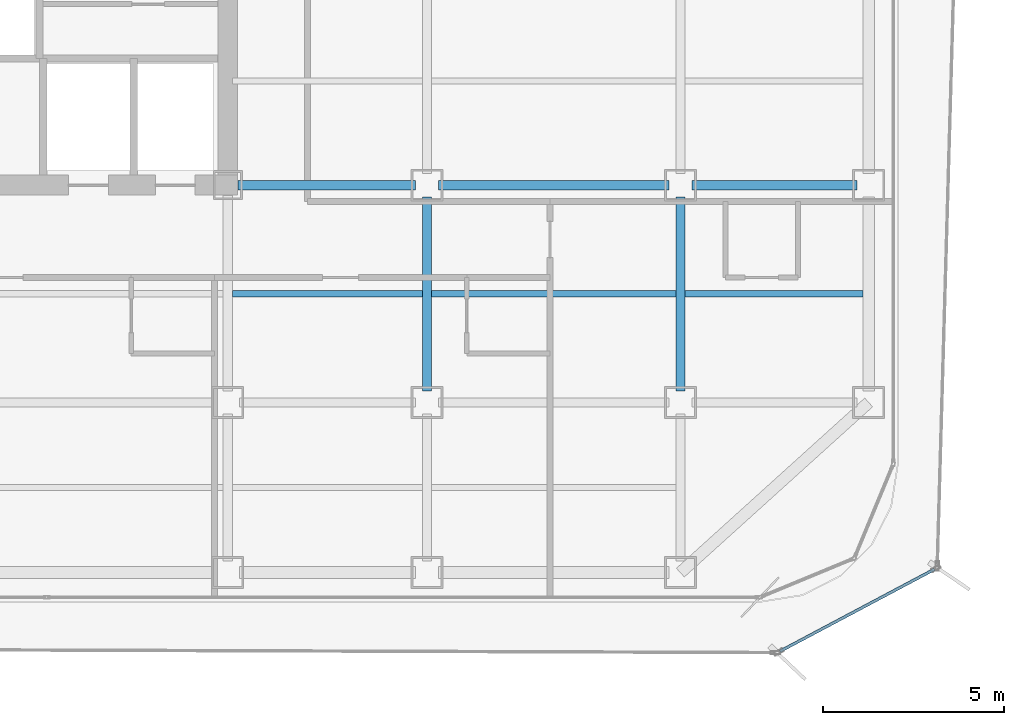
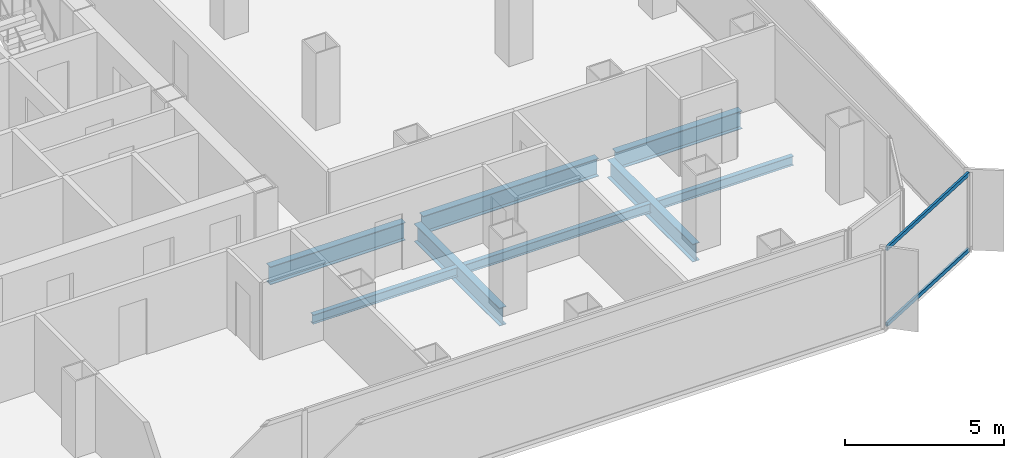
# One storey, part 7 of 21: 8 beams, 2 members, 1 element without a shape of its own.
"""IFC4 building model written with IfcOpenShell, lengths in metres."""

from ifc_helpers import new_model, si_unit, direction, frame, origin, origin_2d, place, context, subcontext, project, spatial, hollow_rectangle, i_section, extrude, source, transform, mapped, material, layer, layer_set, material_profile, profile_set, type_object, element, aggregate, save


model = new_model("IFC4")

# Units and contexts
model_context = context("Model", 3, precision=1e-05, world=origin(), true_north=direction((0.0, 1.0)))
body_context = subcontext(model_context, "Body", "Model", "MODEL_VIEW")
ifc_project = project(units=[si_unit("LENGTHUNIT", "METRE"), si_unit("AREAUNIT", "SQUARE_METRE"), si_unit("VOLUMEUNIT", "CUBIC_METRE"), si_unit("PLANEANGLEUNIT", "RADIAN"), si_unit("MASSUNIT", "GRAM", prefix="KILO")], contexts=[model_context])

# Site, building, storey
site_placement = place(None, origin())
site = spatial("IfcSite", under=ifc_project, at=site_placement, CompositionType="ELEMENT")
building_placement = place(site_placement, origin())
building = spatial("IfcBuilding", under=site, at=building_placement, Name="Kolveth Station Tower", CompositionType="ELEMENT")
storey_placement = place(building_placement, frame((0.0, 0.0, 124.699951171875)))
storey = spatial("IfcBuildingStorey", under=building, at=storey_placement, Name="L34", CompositionType="ELEMENT", Elevation=124.699951171875)

# Beams
ifc_material_1 = material(Name="Steel S355", Category="steel")
ifc_material_profile_1 = material_profile(ifc_material_1, i_section(OverallWidth=0.25390625, OverallDepth=0.68798828125, WebThickness=0.01318359375, FlangeThickness=0.02099609375, at=origin_2d()), Name="W690x152")
ifc_profile_set_1 = profile_set([ifc_material_profile_1], Name="Steel S355")
beam_type_1 = type_object("IfcBeamType", Name="Beam_B4", PredefinedType="BEAM", material=ifc_profile_set_1)
shared_shape_1 = source(origin(), body_context, "Body", "SweptSolid", [
    extrude(i_section(OverallWidth=0.25390625, OverallDepth=0.68798828125, WebThickness=0.01318359375, FlangeThickness=0.02099609375, at=origin_2d()), origin(), (0.0, 0.0, 1.0), 4.559814453125),
])
beam_1_placement = place(storey_placement, frame((41.320068359375, 11.5, -0.593994140625), z_axis=(1.0, 0.0, 0.0), x_axis=(0.0, 1.0, 0.0)))
element("IfcBeam", 1, at=beam_1_placement, inside=storey, type_object=beam_type_1, Name="L34 Primary Girder BM-L34-GY115-7", PredefinedType="BEAM", context=body_context, shape_type="MappedRepresentation", body=[
    mapped(shared_shape_1, transform((0.0, 0.0, 0.0), x_axis=(1.0, 0.0, 0.0), y_axis=(0.0, 1.0, 0.0), z_axis=(0.0, 0.0, 1.0), scale=1.0)),
])
shared_shape_2 = source(origin(), body_context, "Body", "SweptSolid", [
    extrude(i_section(OverallWidth=0.25390625, OverallDepth=0.68798828125, WebThickness=0.01318359375, FlangeThickness=0.02099609375, at=origin_2d()), origin(), (0.0, 0.0, 1.0), 6.35986328125),
])
beam_2_placement = place(storey_placement, frame((34.320068359375, 11.5, -0.593994140625), z_axis=(1.0, 0.0, 0.0), x_axis=(0.0, 1.0, 0.0)))
element("IfcBeam", 2, at=beam_2_placement, inside=storey, type_object=beam_type_1, Name="L34 Primary Girder BM-L34-GY115-6", PredefinedType="BEAM", context=body_context, shape_type="MappedRepresentation", body=[
    mapped(shared_shape_2, transform((0.0, 0.0, 0.0), x_axis=(1.0, 0.0, 0.0), y_axis=(0.0, 1.0, 0.0), z_axis=(0.0, 0.0, 1.0), scale=1.0)),
])
shared_shape_3 = source(origin(), body_context, "Body", "SweptSolid", [
    extrude(i_section(OverallWidth=0.25390625, OverallDepth=0.68798828125, WebThickness=0.01318359375, FlangeThickness=0.02099609375, at=origin_2d()), origin(), (0.0, 0.0, 1.0), 4.89990234375),
])
beam_3_placement = place(storey_placement, frame((28.780029296875, 11.5, -0.593994140625), z_axis=(1.0, 0.0, 0.0), x_axis=(0.0, 1.0, 0.0)))
element("IfcBeam", 3, at=beam_3_placement, inside=storey, type_object=beam_type_1, Name="L34 Primary Girder BM-L34-GY115-5", PredefinedType="BEAM", context=body_context, shape_type="MappedRepresentation", body=[
    mapped(shared_shape_3, transform((0.0, 0.0, 0.0), x_axis=(1.0, 0.0, 0.0), y_axis=(0.0, 1.0, 0.0), z_axis=(0.0, 0.0, 1.0), scale=1.0)),
])
shared_shape_4 = source(origin(), body_context, "Body", "SweptSolid", [
    extrude(i_section(OverallWidth=0.25390625, OverallDepth=0.68798828125, WebThickness=0.01318359375, FlangeThickness=0.02099609375, at=origin_2d()), origin(), (0.0, 0.0, 1.0), 5.35986328125),
])
for number, where, z_axis, x_axis, name in (
    (4, (34.0, 5.820068359375, -0.593994140625), (0.0, 1.0, 0.0), (-1.0, 0.0, 0.0), "L34 Primary Girder BM-L34-GX340-2"),
    (5, (41.0, 5.820068359375, -0.593994140625), (0.0, 1.0, 0.0), (-1.0, 0.0, 0.0), "L34 Primary Girder BM-L34-GX410-2"),
):
    element("IfcBeam", number, at=place(storey_placement, frame(where, z_axis=z_axis, x_axis=x_axis)), inside=storey, type_object=beam_type_1, Name=name, PredefinedType="BEAM", context=body_context, shape_type="MappedRepresentation", body=[
        mapped(shared_shape_4, transform((0.0, 0.0, 0.0), x_axis=(1.0, 0.0, 0.0), y_axis=(0.0, 1.0, 0.0), z_axis=(0.0, 0.0, 1.0), scale=1.0)),
    ])
ifc_material_profile_2 = material_profile(ifc_material_1, i_section(OverallWidth=0.1708984375, OverallDepth=0.35205078125, WebThickness=0.0068359375, FlangeThickness=0.009765625, at=origin_2d()), Name="W360x44")
ifc_profile_set_2 = profile_set([ifc_material_profile_2], Name="Steel S355")
beam_type_2 = type_object("IfcBeamType", Name="Beam_J2", PredefinedType="JOIST", material=ifc_profile_set_2)
shared_shape_5 = source(origin(), body_context, "Body", "SweptSolid", [
    extrude(i_section(OverallWidth=0.1708984375, OverallDepth=0.35205078125, WebThickness=0.0068359375, FlangeThickness=0.009765625, at=origin_2d()), origin(), (0.0, 0.0, 1.0), 4.9150390625),
])
beam_4_placement = place(storey_placement, frame((41.125, 8.5, -0.426025390625), z_axis=(1.0, 0.0, 0.0), x_axis=(0.0, 1.0, 0.0)))
element("IfcBeam", 6, at=beam_4_placement, inside=storey, type_object=beam_type_2, Name="L34 Secondary Joist JST-L34-7-2", PredefinedType="JOIST", context=body_context, shape_type="MappedRepresentation", body=[
    mapped(shared_shape_5, transform((0.0, 0.0, 0.0), x_axis=(1.0, 0.0, 0.0), y_axis=(0.0, 1.0, 0.0), z_axis=(0.0, 0.0, 1.0), scale=1.0)),
])
shared_shape_6 = source(origin(), body_context, "Body", "SweptSolid", [
    extrude(i_section(OverallWidth=0.1708984375, OverallDepth=0.35205078125, WebThickness=0.0068359375, FlangeThickness=0.009765625, at=origin_2d()), origin(), (0.0, 0.0, 1.0), 6.75),
])
beam_5_placement = place(storey_placement, frame((34.125, 8.5, -0.426025390625), z_axis=(1.0, 0.0, 0.0), x_axis=(0.0, 1.0, 0.0)))
element("IfcBeam", 7, at=beam_5_placement, inside=storey, type_object=beam_type_2, Name="L34 Secondary Joist JST-L34-6-2", PredefinedType="JOIST", context=body_context, shape_type="MappedRepresentation", body=[
    mapped(shared_shape_6, transform((0.0, 0.0, 0.0), x_axis=(1.0, 0.0, 0.0), y_axis=(0.0, 1.0, 0.0), z_axis=(0.0, 0.0, 1.0), scale=1.0)),
])
shared_shape_7 = source(origin(), body_context, "Body", "SweptSolid", [
    extrude(i_section(OverallWidth=0.1708984375, OverallDepth=0.35205078125, WebThickness=0.0068359375, FlangeThickness=0.009765625, at=origin_2d()), origin(), (0.0, 0.0, 1.0), 5.25),
])
beam_6_placement = place(storey_placement, frame((28.625, 8.5, -0.426025390625), z_axis=(1.0, 0.0, 0.0), x_axis=(0.0, 1.0, 0.0)))
element("IfcBeam", 8, at=beam_6_placement, inside=storey, type_object=beam_type_2, Name="L34 Secondary Joist JST-L34-5-2", PredefinedType="JOIST", context=body_context, shape_type="MappedRepresentation", body=[
    mapped(shared_shape_7, transform((0.0, 0.0, 0.0), x_axis=(1.0, 0.0, 0.0), y_axis=(0.0, 1.0, 0.0), z_axis=(0.0, 0.0, 1.0), scale=1.0)),
])

# Curtain wall, members
ifc_material_2 = material(Name="Black anodized aluminium 6063-T6 and dark solar glass", Category="aluminium")
ifc_layer = layer(ifc_material_2, 0.159912109375)
ifc_layer_set = layer_set([ifc_layer], Name="Black anodized aluminium 6063-T6 and dark solar glass")
curtain_wall_type = type_object("IfcCurtainWallType", Name="OUTER SKIN CW-OS", PredefinedType="NOTDEFINED", material=ifc_layer_set)
curtain_wall_placement = place(storey_placement, origin())
curtain_wall = element("IfcCurtainWall", 9, at=curtain_wall_placement, inside=storey, type_object=curtain_wall_type, Name="L34 Outer Ventilated Skin Curtain Wall 1", PredefinedType="NOTDEFINED")
ifc_material_3 = material(Name="Black anodized aluminium 6063-T6", Category="aluminium")
ifc_material_profile_3 = material_profile(ifc_material_3, hollow_rectangle(XDim=0.080078125, YDim=0.14990234375, WallThickness=0.0048828125, at=origin_2d()), Name="ALU-80x150x5")
ifc_profile_set_3 = profile_set([ifc_material_profile_3], Name="Black anodized aluminium 6063-T6")
member_type = type_object("IfcMemberType", Name="Transom_TR-OS", PredefinedType="USERDEFINED", material=ifc_profile_set_3)
shared_shape_8 = source(origin(), body_context, "Body", "SweptSolid", [
    extrude(hollow_rectangle(XDim=0.080078125, YDim=0.14990234375, WallThickness=0.0048828125, at=origin_2d()), origin(), (0.0, 0.0, 1.0), 4.830078125),
])
member_1_placement = place(storey_placement, frame((43.752197265625, -1.37255859375, 0.0400390625), z_axis=(0.883295626828, 0.468816419962, 0.0), x_axis=(-0.468816419962, 0.883295626828, 0.0)))
member_1 = element("IfcMember", 10, at=member_1_placement, type_object=member_type, Name="CW-OS transom 1.1", ObjectType="TRANSOM", PredefinedType="USERDEFINED", context=body_context, shape_type="MappedRepresentation", body=[
    mapped(shared_shape_8, transform((0.0, 0.0, 0.0), x_axis=(1.0, 0.0, 0.0), y_axis=(0.0, 1.0, 0.0), z_axis=(0.0, 0.0, 1.0), scale=1.0)),
])
member_2_placement = place(storey_placement, frame((43.752197265625, -1.37255859375, 2.949951171875), z_axis=(0.883295626828, 0.468816419962, 0.0), x_axis=(-0.468816419962, 0.883295626828, 0.0)))
member_2 = element("IfcMember", 11, at=member_2_placement, type_object=member_type, Name="CW-OS transom 1.2", ObjectType="TRANSOM", PredefinedType="USERDEFINED", context=body_context, shape_type="MappedRepresentation", body=[
    mapped(shared_shape_8, transform((0.0, 0.0, 0.0), x_axis=(1.0, 0.0, 0.0), y_axis=(0.0, 1.0, 0.0), z_axis=(0.0, 0.0, 1.0), scale=1.0)),
])
aggregate(curtain_wall, [member_1, member_2])

save(model, "model.ifc")
